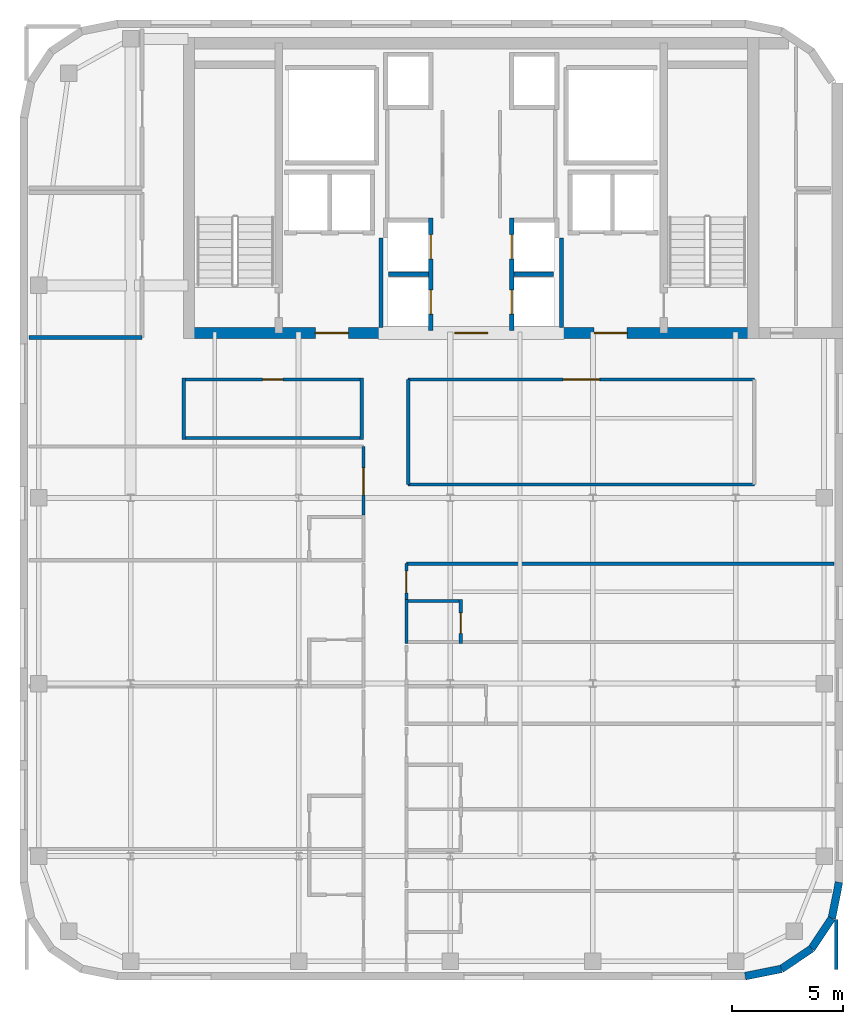
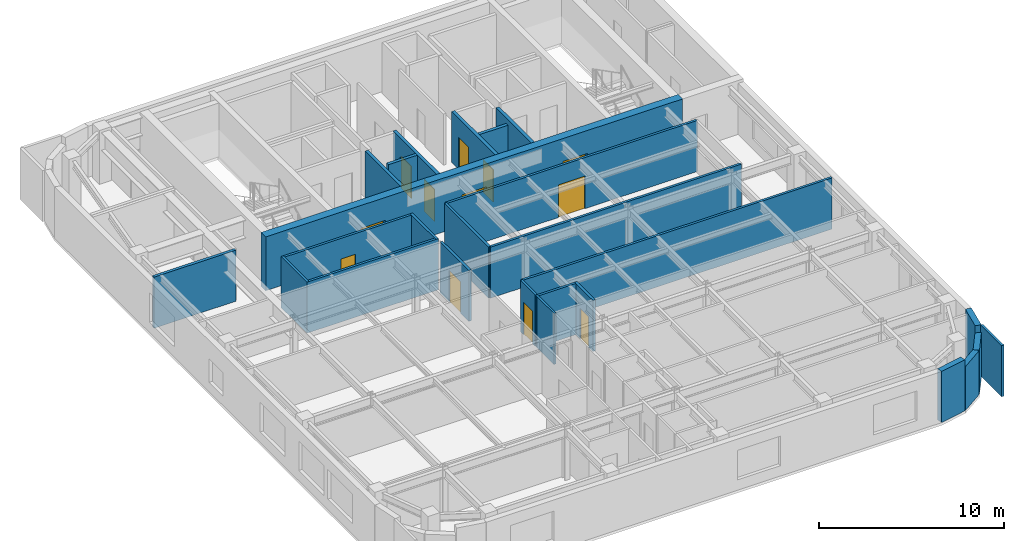
# One storey, part 5 of 9: 26 walls, 12 doors, 12 openings.
"""IFC4 building model written with IfcOpenShell, lengths in metres."""

from ifc_helpers import new_model, si_unit, direction, frame, frame_2d, origin, place, context, subcontext, project, spatial, rectangle, extrude, source, transform, mapped, material, layer, layer_set, type_object, type_shapes, element, fill, save


model = new_model("IFC4")

# Units and contexts
model_context = context("Model", 3, precision=1e-05, world=origin(), true_north=direction((0.0, 1.0)))
body_context = subcontext(model_context, "Body", "Model", "MODEL_VIEW")
ifc_project = project(units=[si_unit("LENGTHUNIT", "METRE"), si_unit("AREAUNIT", "SQUARE_METRE"), si_unit("VOLUMEUNIT", "CUBIC_METRE"), si_unit("PLANEANGLEUNIT", "RADIAN"), si_unit("MASSUNIT", "GRAM", prefix="KILO")], contexts=[model_context])

# Site, building, storey
site_placement = place(None, origin())
site = spatial("IfcSite", under=ifc_project, at=site_placement, CompositionType="ELEMENT")
building_placement = place(site_placement, origin())
building = spatial("IfcBuilding", under=site, at=building_placement, Name="Tolvann Quenvar Hotel", CompositionType="ELEMENT")
storey_placement = place(building_placement, frame((0.0, 0.0, 216.800048828125)))
storey = spatial("IfcBuildingStorey", under=building, at=storey_placement, Name="L57", CompositionType="ELEMENT", Elevation=216.800048828125)

# Wall, openings, doors
ifc_material_1 = material(Name="Concrete N50 (50 MPa)", Category="concrete")
ifc_layer_1 = layer(ifc_material_1, 0.5)
ifc_layer_set_1 = layer_set([ifc_layer_1], Name="Concrete N50 (50 MPa)")
wall_type_1 = type_object("IfcWallType", Name="WALL_CORE_500", PredefinedType="SHEAR", material=ifc_layer_set_1)
wall_1_placement = place(storey_placement, frame((10.0, 31.85009765625, 0.0), z_axis=(0.0, 0.0, 1.0), x_axis=(1.0, 0.0, 0.0)))
wall_1 = element("IfcWall", 1, at=wall_1_placement, inside=storey, type_object=wall_type_1, Name="Rear Core S Shear Wall (L57)", PredefinedType="SHEAR", context=body_context, shape_type="SweptSolid", body=[
    extrude(rectangle(XDim=26.0, YDim=0.5, at=frame_2d((13.0, 0.0))), origin(), (0.0, 0.0, 1.0), 3.550048828125),
])
opening_1_placement = place(wall_1_placement, frame((7.449951171875, 0.0, 0.0), z_axis=(0.0, 0.0, 1.0), x_axis=(-1.0, 0.0, 0.0)))
opening_1 = element("IfcOpeningElement", 2, at=opening_1_placement, cuts=wall_1, Name="Opening FD-60D", PredefinedType="OPENING", context=body_context, shape_type="SweptSolid", body=[
    extrude(rectangle(XDim=1.5, YDim=2.0400390625, at=frame_2d((0.75, 1.02001953125))), frame((0.0, 0.260009765625, 0.0), z_axis=(0.0, -1.0, 0.0), x_axis=(1.0, 0.0, 0.0)), (0.0, 0.0, 1.0), 0.52001953125),
])
opening_2_placement = place(wall_1_placement, frame((13.75, 0.0, 0.0), z_axis=(0.0, 0.0, 1.0), x_axis=(-1.0, 0.0, 0.0)))
opening_2 = element("IfcOpeningElement", 3, at=opening_2_placement, cuts=wall_1, Name="Opening FD-60D", PredefinedType="OPENING", context=body_context, shape_type="SweptSolid", body=[
    extrude(rectangle(XDim=1.5, YDim=2.0400390625, at=frame_2d((0.75, 1.02001953125))), frame((0.0, 0.260009765625, 0.0), z_axis=(0.0, -1.0, 0.0), x_axis=(1.0, 0.0, 0.0)), (0.0, 0.0, 1.0), 0.52001953125),
])
opening_3_placement = place(wall_1_placement, frame((20.050048828125, 0.0, 0.0), z_axis=(0.0, 0.0, 1.0), x_axis=(-1.0, 0.0, 0.0)))
opening_3 = element("IfcOpeningElement", 4, at=opening_3_placement, cuts=wall_1, Name="Opening FD-60D", PredefinedType="OPENING", context=body_context, shape_type="SweptSolid", body=[
    extrude(rectangle(XDim=1.5, YDim=2.0400390625, at=frame_2d((0.75, 1.02001953125))), frame((0.0, 0.260009765625, 0.0), z_axis=(0.0, -1.0, 0.0), x_axis=(1.0, 0.0, 0.0)), (0.0, 0.0, 1.0), 0.52001953125),
])
ifc_material_2 = material(Name="Solid-core American oak acoustic fire door leaf in steel frame", Category="steel")
door_type_1 = type_object("IfcDoorType", Name="DOOR_FIRE_LOBBY_1500", OperationType="NOTDEFINED", PredefinedType="DOOR", material=ifc_material_2)
shared_shape_1 = source(origin(), body_context, "Body", "SweptSolid", [
    extrude(rectangle(XDim=1.5, YDim=2.0400390625, at=frame_2d((0.75, 1.02001953125))), frame((0.0, 0.02490234375, 0.0), z_axis=(0.0, -1.0, 0.0), x_axis=(1.0, 0.0, 0.0)), (0.0, 0.0, 1.0), 0.050048828125),
])
type_shapes(door_type_1, [shared_shape_1])
door_1_placement = place(opening_1_placement, origin())
door_1 = element("IfcDoor", 5, at=door_1_placement, inside=storey, type_object=door_type_1, Name="Core Lobby Fire Door FFW (L57)", OperationType="DOUBLE_DOOR_SINGLE_SWING", OverallHeight=2.0400390625, OverallWidth=1.5, PredefinedType="DOOR", context=body_context, shape_type="MappedRepresentation", body=[
    mapped(shared_shape_1, transform((0.0, 0.0, 0.0), x_axis=(1.0, 0.0, 0.0), y_axis=(0.0, 1.0, 0.0), z_axis=(0.0, 0.0, 1.0), scale=1.0)),
])
fill(opening_1, door_1)
door_2_placement = place(opening_2_placement, origin())
door_2 = element("IfcDoor", 6, at=door_2_placement, inside=storey, type_object=door_type_1, Name="Core Lobby Fire Door CLOB (L57)", OperationType="DOUBLE_DOOR_SINGLE_SWING", OverallHeight=2.0400390625, OverallWidth=1.5, PredefinedType="DOOR", context=body_context, shape_type="MappedRepresentation", body=[
    mapped(shared_shape_1, transform((0.0, 0.0, 0.0), x_axis=(1.0, 0.0, 0.0), y_axis=(0.0, 1.0, 0.0), z_axis=(0.0, 0.0, 1.0), scale=1.0)),
])
fill(opening_2, door_2)
door_3_placement = place(opening_3_placement, origin())
door_3 = element("IfcDoor", 7, at=door_3_placement, inside=storey, type_object=door_type_1, Name="Core Lobby Fire Door FFE (L57)", OperationType="DOUBLE_DOOR_SINGLE_SWING", OverallHeight=2.0400390625, OverallWidth=1.5, PredefinedType="DOOR", context=body_context, shape_type="MappedRepresentation", body=[
    mapped(shared_shape_1, transform((0.0, 0.0, 0.0), x_axis=(1.0, 0.0, 0.0), y_axis=(0.0, 1.0, 0.0), z_axis=(0.0, 0.0, 1.0), scale=1.0)),
])
fill(opening_3, door_3)

# Walls
ifc_material_3 = material(Name="Kiln-fired red and buff architectural clay brickwork and terracotta masonry", Category="masonry")
ifc_layer_2 = layer(ifc_material_3, 0.35009765625)
ifc_layer_set_2 = layer_set([ifc_layer_2], Name="Kiln-fired red and buff architectural clay brickwork and terracotta masonry")
wall_type_2 = type_object("IfcWallType", Name="WALL_EXT_BRICK_350", PredefinedType="SOLIDWALL", material=ifc_layer_set_2)
wall_2_placement = place(storey_placement, frame((35.3828125, 2.77490234375, 0.0), z_axis=(0.0, 0.0, 1.0), x_axis=(0.980788844421, 0.195072403631, 0.0)))
element("IfcWall", 8, at=wall_2_placement, inside=storey, type_object=wall_type_2, Name="Exterior Chicago Brick Wall L57-E05", PredefinedType="SOLIDWALL", context=body_context, shape_type="SweptSolid", body=[
    extrude(rectangle(XDim=1.66455078125, YDim=0.35009765625, at=frame_2d((0.832275390625, 0.0))), origin(), (0.0, 0.0, 1.0), 3.369873046875),
])
for number, where, z_axis, x_axis, name in (
    (9, (37.015380859375, 3.099609375, 0.0), (0.0, 0.0, 1.0), (0.831434158098, 0.555623290322, 0.0), "Exterior Chicago Brick Wall L57-E06"),
    (10, (38.385009765625, 4.014892578125, 0.0), (0.0, 0.0, 1.0), (0.555623290322, 0.831434158098, 0.0), "Exterior Chicago Brick Wall L57-E07"),
):
    element("IfcWall", number, at=place(storey_placement, frame(where, z_axis=z_axis, x_axis=x_axis)), inside=storey, type_object=wall_type_2, Name=name, PredefinedType="SOLIDWALL", context=body_context, shape_type="SweptSolid", body=[
        extrude(rectangle(XDim=1.647216796875, YDim=0.35009765625, at=frame_2d((0.82373046875, 0.0))), origin(), (0.0, 0.0, 1.0), 2.89990234375),
    ])
wall_3_placement = place(storey_placement, frame((39.30029296875, 5.384521484375, 0.0), z_axis=(0.0, 0.0, 1.0), x_axis=(0.195072403631, 0.980788844421, 0.0)))
element("IfcWall", 11, at=wall_3_placement, inside=storey, type_object=wall_type_2, Name="Exterior Chicago Brick Wall L57-E08", PredefinedType="SOLIDWALL", context=body_context, shape_type="SweptSolid", body=[
    extrude(rectangle(XDim=1.66455078125, YDim=0.35009765625, at=frame_2d((0.832275390625, 0.0))), origin(), (0.0, 0.0, 1.0), 3.369873046875),
])
ifc_material_4 = material(Name="Acoustic twin-stud fire-rated gypsum plasterboard partition")
ifc_layer_3 = layer(ifc_material_4, 0.179931640625)
ifc_layer_set_3 = layer_set([ifc_layer_3], Name="Acoustic twin-stud fire-rated gypsum plasterboard partition")
wall_type_3 = type_object("IfcWallType", Name="WALL_PART_ACOUSTIC_180", PredefinedType="PARTITIONING", material=ifc_layer_set_3)
wall_4_placement = place(storey_placement, frame((3.0048828125, 31.64990234375, 0.0), z_axis=(0.0, 0.0, 1.0), x_axis=(1.0, 0.0, 0.0)))
element("IfcWall", 12, at=wall_4_placement, inside=storey, type_object=wall_type_3, Name="Interior Partition PT-SPC-L57-SAL-S", PredefinedType="PARTITIONING", context=body_context, shape_type="SweptSolid", body=[
    extrude(rectangle(XDim=5.115234375, YDim=0.179931640625, at=frame_2d((2.5576171875, 0.0))), origin(), (0.0, 0.0, 1.0), 3.369873046875),
])
ifc_material_5 = material(Name="Moisture-resistant acoustic plumbing wall assembly")
ifc_layer_4 = layer(ifc_material_5, 0.1201171875)
ifc_layer_set_4 = layer_set([ifc_layer_4], Name="Moisture-resistant acoustic plumbing wall assembly")
wall_type_4 = type_object("IfcWallType", Name="WALL_PART_BATH_120", PredefinedType="PLUMBINGWALL", material=ifc_layer_set_4)
wall_5_placement = place(storey_placement, frame((20.070068359375, 17.81005859375, 0.0), z_axis=(0.0, 0.0, 1.0), x_axis=(0.0, 1.0, 0.0)))
element("IfcWall", 13, at=wall_5_placement, inside=storey, type_object=wall_type_4, Name="Non-Rated Plumbing Partition PT-SPC-L57-ENS-EO05-W", PredefinedType="PLUMBINGWALL", context=body_context, shape_type="SweptSolid", body=[
    extrude(rectangle(XDim=1.989990234375, YDim=0.1201171875, at=frame_2d((0.9951171875, 0.0))), origin(), (0.0, 0.0, 1.0), 3.369873046875),
])

# Wall, opening, door
ifc_layer_5 = layer(ifc_material_4, 0.14990234375)
ifc_layer_set_5 = layer_set([ifc_layer_5], Name="Acoustic twin-stud fire-rated gypsum plasterboard partition")
wall_type_5 = type_object("IfcWallType", Name="WALL_PART_SUITE_150", PredefinedType="PARTITIONING", material=ifc_layer_set_5)
wall_6_placement = place(storey_placement, frame((22.52001953125, 17.81005859375, 0.0), z_axis=(0.0, 0.0, 1.0), x_axis=(0.0, 1.0, 0.0)))
wall_6 = element("IfcWall", 14, at=wall_6_placement, inside=storey, type_object=wall_type_5, Name="Interior Partition PT-SPC-L57-ENS-EO05-ENT", PredefinedType="PARTITIONING", context=body_context, shape_type="SweptSolid", body=[
    extrude(rectangle(XDim=1.989990234375, YDim=0.14990234375, at=frame_2d((0.9951171875, 0.0))), origin(), (0.0, 0.0, 1.0), 3.369873046875),
])
opening_4_placement = place(wall_6_placement, frame((0.465087890625, 0.0, 0.0)))
opening_4 = element("IfcOpeningElement", 15, at=opening_4_placement, cuts=wall_6, Name="Opening WD-01", PredefinedType="OPENING", context=body_context, shape_type="SweptSolid", body=[
    extrude(rectangle(XDim=0.919921875, YDim=2.010009765625, at=frame_2d((0.4599609375, 1.0048828125))), frame((0.0, 0.0849609375, 0.0), z_axis=(0.0, -1.0, 0.0), x_axis=(1.0, 0.0, 0.0)), (0.0, 0.0, 1.0), 0.169921875),
])
door_type_2 = type_object("IfcDoorType", Name="DOOR_WC_920", OperationType="NOTDEFINED", PredefinedType="DOOR", material=ifc_material_2)
shared_shape_2 = source(origin(), body_context, "Body", "SweptSolid", [
    extrude(rectangle(XDim=0.919921875, YDim=2.010009765625, at=frame_2d((0.4599609375, 1.0048828125))), frame((0.0, 0.02490234375, 0.0), z_axis=(0.0, -1.0, 0.0), x_axis=(1.0, 0.0, 0.0)), (0.0, 0.0, 1.0), 0.050048828125),
])
type_shapes(door_type_2, [shared_shape_2])
door_4_placement = place(opening_4_placement, origin())
door_4 = element("IfcDoor", 16, at=door_4_placement, inside=storey, type_object=door_type_2, Name="Interior Door DOOR-SPC-L57-ENS-EO05", OperationType="SINGLE_SWING_RIGHT", OverallHeight=2.010009765625, OverallWidth=0.919921875, PredefinedType="DOOR", context=body_context, shape_type="MappedRepresentation", body=[
    mapped(shared_shape_2, transform((0.0, 0.0, 0.0), x_axis=(1.0, 0.0, 0.0), y_axis=(0.0, 1.0, 0.0), z_axis=(0.0, 0.0, 1.0), scale=1.0)),
])
fill(opening_4, door_4)

# Wall
wall_7_placement = place(storey_placement, frame((20.0, 19.72998046875, 0.0), z_axis=(0.0, 0.0, 1.0), x_axis=(1.0, 0.0, 0.0)))
element("IfcWall", 17, at=wall_7_placement, inside=storey, type_object=wall_type_5, Name="Interior Partition PT-SPC-L57-ENS-EO05-N", PredefinedType="PARTITIONING", context=body_context, shape_type="SweptSolid", body=[
    extrude(rectangle(XDim=2.590087890625, YDim=0.14990234375, at=frame_2d((1.294921875, 0.0))), origin(), (0.0, 0.0, 1.0), 3.369873046875),
])

# Wall, opening, door
wall_8_placement = place(storey_placement, frame((18.1298828125, 23.613037109375, 0.0), z_axis=(0.0, 0.0, 1.0), x_axis=(0.0, 1.0, 0.0)))
wall_8 = element("IfcWall", 18, at=wall_8_placement, inside=storey, type_object=wall_type_5, Name="Interior Partition PT-SPC-L57-RM-WO04-ENT", PredefinedType="PARTITIONING", context=body_context, shape_type="SweptSolid", body=[
    extrude(rectangle(XDim=3.10693359375, YDim=0.14990234375, at=frame_2d((1.553466796875, 0.0))), origin(), (0.0, 0.0, 1.0), 3.369873046875),
])
opening_5_placement = place(wall_8_placement, frame((0.923583984375, 0.0, 0.0)))
opening_5 = element("IfcOpeningElement", 19, at=opening_5_placement, cuts=wall_8, Name="Opening SD-02", PredefinedType="OPENING", context=body_context, shape_type="SweptSolid", body=[
    extrude(rectangle(XDim=1.219970703125, YDim=2.080078125, at=frame_2d((0.60986328125, 1.0400390625))), frame((0.0, 0.0849609375, 0.0), z_axis=(0.0, -1.0, 0.0), x_axis=(1.0, 0.0, 0.0)), (0.0, 0.0, 1.0), 0.169921875),
])
door_type_3 = type_object("IfcDoorType", Name="DOOR_VIP_1220", OperationType="NOTDEFINED", PredefinedType="DOOR", material=ifc_material_2)
shared_shape_3 = source(origin(), body_context, "Body", "SweptSolid", [
    extrude(rectangle(XDim=1.219970703125, YDim=2.080078125, at=frame_2d((0.60986328125, 1.0400390625))), frame((0.0, 0.02490234375, 0.0), z_axis=(0.0, -1.0, 0.0), x_axis=(1.0, 0.0, 0.0)), (0.0, 0.0, 1.0), 0.050048828125),
])
type_shapes(door_type_3, [shared_shape_3])
door_5_placement = place(opening_5_placement, origin())
door_5 = element("IfcDoor", 20, at=door_5_placement, inside=storey, type_object=door_type_3, Name="Interior Door DOOR-SPC-L57-RM-WO04", OperationType="SINGLE_SWING_RIGHT", OverallHeight=2.080078125, OverallWidth=1.219970703125, PredefinedType="DOOR", context=body_context, shape_type="MappedRepresentation", body=[
    mapped(shared_shape_3, transform((0.0, 0.0, 0.0), x_axis=(1.0, 0.0, 0.0), y_axis=(0.0, 1.0, 0.0), z_axis=(0.0, 0.0, 1.0), scale=1.0)),
])
fill(opening_5, door_5)

# Wall
wall_9_placement = place(storey_placement, frame((39.5, 3.080078125, 0.0), z_axis=(0.0, 0.0, 1.0), x_axis=(0.0, 1.0, 0.0)))
element("IfcWall", 21, at=wall_9_placement, inside=storey, type_object=wall_type_5, Name="Interior Partition PT-SPC-L57-RM-EO01-E2", PredefinedType="PARTITIONING", context=body_context, shape_type="SweptSolid", body=[
    extrude(rectangle(XDim=2.264892578125, YDim=0.14990234375, at=frame_2d((1.13232421875, 0.0))), origin(), (0.0, 0.0, 1.0), 3.369873046875),
])

# Wall, opening, door
wall_10_placement = place(storey_placement, frame((20.070068359375, 19.81005859375, 0.0), z_axis=(0.0, 0.0, 1.0), x_axis=(0.0, 1.0, 0.0)))
wall_10 = element("IfcWall", 22, at=wall_10_placement, inside=storey, type_object=wall_type_5, Name="Interior Partition PT-SPC-L57-RM-EO05-ENT", PredefinedType="PARTITIONING", context=body_context, shape_type="SweptSolid", body=[
    extrude(rectangle(XDim=1.60986328125, YDim=0.14990234375, at=frame_2d((0.804931640625, 0.0))), origin(), (0.0, 0.0, 1.0), 3.369873046875),
])
opening_6_placement = place(wall_10_placement, frame((0.294921875, 0.0, 0.0)))
opening_6 = element("IfcOpeningElement", 23, at=opening_6_placement, cuts=wall_10, Name="Opening SD-01", PredefinedType="OPENING", context=body_context, shape_type="SweptSolid", body=[
    extrude(rectangle(XDim=0.97998046875, YDim=2.1201171875, at=frame_2d((0.489990234375, 1.06005859375))), frame((0.0, 0.0849609375, 0.0), z_axis=(0.0, -1.0, 0.0), x_axis=(1.0, 0.0, 0.0)), (0.0, 0.0, 1.0), 0.169921875),
])
door_type_4 = type_object("IfcDoorType", Name="DOOR_SUITE_980", OperationType="NOTDEFINED", PredefinedType="DOOR", material=ifc_material_2)
shared_shape_4 = source(origin(), body_context, "Body", "SweptSolid", [
    extrude(rectangle(XDim=0.97998046875, YDim=2.1201171875, at=frame_2d((0.489990234375, 1.06005859375))), frame((0.0, 0.02490234375, 0.0), z_axis=(0.0, -1.0, 0.0), x_axis=(1.0, 0.0, 0.0)), (0.0, 0.0, 1.0), 0.050048828125),
])
type_shapes(door_type_4, [shared_shape_4])
door_6_placement = place(opening_6_placement, origin())
door_6 = element("IfcDoor", 24, at=door_6_placement, inside=storey, type_object=door_type_4, Name="Interior Door DOOR-SPC-L57-RM-EO05", OperationType="SINGLE_SWING_LEFT", OverallHeight=2.1201171875, OverallWidth=0.97998046875, PredefinedType="DOOR", context=body_context, shape_type="MappedRepresentation", body=[
    mapped(shared_shape_4, transform((0.0, 0.0, 0.0), x_axis=(1.0, 0.0, 0.0), y_axis=(0.0, 1.0, 0.0), z_axis=(0.0, 0.0, 1.0), scale=1.0)),
])
fill(opening_6, door_6)

# Walls
wall_11_placement = place(storey_placement, frame((20.070068359375, 21.419921875, 0.0), z_axis=(0.0, 0.0, 1.0), x_axis=(1.0, 0.0, 0.0)))
element("IfcWall", 25, at=wall_11_placement, inside=storey, type_object=wall_type_5, Name="Interior Partition PT-SPC-L57-RM-EO05-E5", PredefinedType="PARTITIONING", context=body_context, shape_type="SweptSolid", body=[
    extrude(rectangle(XDim=19.324951171875, YDim=0.14990234375, at=frame_2d((9.66259765625, 0.0))), origin(), (0.0, 0.0, 1.0), 3.369873046875),
])
wall_12_placement = place(storey_placement, frame((9.929931640625, 27.10009765625, 0.0), z_axis=(0.0, 0.0, 1.0), x_axis=(1.0, 0.0, 0.0)))
element("IfcWall", 26, at=wall_12_placement, inside=storey, type_object=wall_type_5, Name="Interior Partition PT-SPC-L57-WCA-S", PredefinedType="PARTITIONING", context=body_context, shape_type="SweptSolid", body=[
    extrude(rectangle(XDim=8.190185546875, YDim=0.14990234375, at=frame_2d((4.09521484375, 0.0))), origin(), (0.0, 0.0, 1.0), 3.369873046875),
])

# Wall, opening, door
wall_13_placement = place(storey_placement, frame((9.929931640625, 29.75, 0.0), z_axis=(0.0, 0.0, 1.0), x_axis=(1.0, 0.0, 0.0)))
wall_13 = element("IfcWall", 27, at=wall_13_placement, inside=storey, type_object=wall_type_5, Name="Interior Partition PT-SPC-L57-WCA-N", PredefinedType="PARTITIONING", context=body_context, shape_type="SweptSolid", body=[
    extrude(rectangle(XDim=8.190185546875, YDim=0.14990234375, at=frame_2d((4.09521484375, 0.0))), origin(), (0.0, 0.0, 1.0), 3.369873046875),
])
opening_7_placement = place(wall_13_placement, frame((3.635009765625, 0.0, 0.0)))
opening_7 = element("IfcOpeningElement", 28, at=opening_7_placement, cuts=wall_13, Name="Opening WD-01", PredefinedType="OPENING", context=body_context, shape_type="SweptSolid", body=[
    extrude(rectangle(XDim=0.919921875, YDim=2.010009765625, at=frame_2d((0.4599609375, 1.0048828125))), frame((0.0, 0.0849609375, 0.0), z_axis=(0.0, -1.0, 0.0), x_axis=(1.0, 0.0, 0.0)), (0.0, 0.0, 1.0), 0.169921875),
])
door_7_placement = place(opening_7_placement, origin())
door_7 = element("IfcDoor", 29, at=door_7_placement, inside=storey, type_object=door_type_2, Name="Interior Door DOOR-SPC-L57-WCA", OperationType="SINGLE_SWING_RIGHT", OverallHeight=2.010009765625, OverallWidth=0.919921875, PredefinedType="DOOR", context=body_context, shape_type="MappedRepresentation", body=[
    mapped(shared_shape_2, transform((0.0, 0.0, 0.0), x_axis=(1.0, 0.0, 0.0), y_axis=(0.0, 1.0, 0.0), z_axis=(0.0, 0.0, 1.0), scale=1.0)),
])
fill(opening_7, door_7)

# Walls
for number, where, z_axis, x_axis, name in (
    (30, (10.0, 27.030029296875, 0.0), (0.0, 0.0, 1.0), (0.0, 1.0, 0.0), "Interior Partition PT-SPC-L57-WCA-W"),
    (31, (18.050048828125, 27.030029296875, 0.0), (0.0, 0.0, 1.0), (0.0, 1.0, 0.0), "Interior Partition PT-SPC-L57-WCA-E"),
):
    element("IfcWall", number, at=place(storey_placement, frame(where, z_axis=z_axis, x_axis=x_axis)), inside=storey, type_object=wall_type_5, Name=name, PredefinedType="PARTITIONING", context=body_context, shape_type="SweptSolid", body=[
        extrude(rectangle(XDim=2.7900390625, YDim=0.14990234375, at=frame_2d((1.39501953125, 0.0))), origin(), (0.0, 0.0, 1.0), 3.369873046875),
    ])
wall_14_placement = place(storey_placement, frame((20.14990234375, 25.0, 0.0), z_axis=(0.0, 0.0, 1.0), x_axis=(1.0, 0.0, 0.0)))
element("IfcWall", 32, at=wall_14_placement, inside=storey, type_object=wall_type_5, Name="Interior Partition PT-SPC-L57-LOUNGE-S", PredefinedType="PARTITIONING", context=body_context, shape_type="SweptSolid", body=[
    extrude(rectangle(XDim=15.650146484375, YDim=0.14990234375, at=frame_2d((7.8251953125, 0.0))), origin(), (0.0, 0.0, 1.0), 3.369873046875),
])

# Wall, opening, door
wall_15_placement = place(storey_placement, frame((20.14990234375, 29.75, 0.0), z_axis=(0.0, 0.0, 1.0), x_axis=(1.0, 0.0, 0.0)))
wall_15 = element("IfcWall", 33, at=wall_15_placement, inside=storey, type_object=wall_type_5, Name="Interior Partition PT-SPC-L57-LOUNGE-N", PredefinedType="PARTITIONING", context=body_context, shape_type="SweptSolid", body=[
    extrude(rectangle(XDim=15.650146484375, YDim=0.14990234375, at=frame_2d((7.8251953125, 0.0))), origin(), (0.0, 0.0, 1.0), 3.369873046875),
])
opening_8_placement = place(wall_15_placement, frame((7.0, 0.0, 0.0)))
opening_8 = element("IfcOpeningElement", 34, at=opening_8_placement, cuts=wall_15, Name="Opening AD-01", PredefinedType="OPENING", context=body_context, shape_type="SweptSolid", body=[
    extrude(rectangle(XDim=1.64990234375, YDim=2.14990234375, at=frame_2d((0.824951171875, 1.074951171875))), frame((0.0, 0.0849609375, 0.0), z_axis=(0.0, -1.0, 0.0), x_axis=(1.0, 0.0, 0.0)), (0.0, 0.0, 1.0), 0.169921875),
])
door_type_5 = type_object("IfcDoorType", Name="DOOR_SALON_1650", OperationType="NOTDEFINED", PredefinedType="DOOR", material=ifc_material_2)
shared_shape_5 = source(origin(), body_context, "Body", "SweptSolid", [
    extrude(rectangle(XDim=1.64990234375, YDim=2.14990234375, at=frame_2d((0.824951171875, 1.074951171875))), frame((0.0, 0.02490234375, 0.0), z_axis=(0.0, -1.0, 0.0), x_axis=(1.0, 0.0, 0.0)), (0.0, 0.0, 1.0), 0.050048828125),
])
type_shapes(door_type_5, [shared_shape_5])
door_8_placement = place(opening_8_placement, origin())
door_8 = element("IfcDoor", 35, at=door_8_placement, inside=storey, type_object=door_type_5, Name="Interior Door DOOR-SPC-L57-LOUNGE", OperationType="DOUBLE_DOOR_SINGLE_SWING", OverallHeight=2.14990234375, OverallWidth=1.64990234375, PredefinedType="DOOR", context=body_context, shape_type="MappedRepresentation", body=[
    mapped(shared_shape_5, transform((0.0, 0.0, 0.0), x_axis=(1.0, 0.0, 0.0), y_axis=(0.0, 1.0, 0.0), z_axis=(0.0, 0.0, 1.0), scale=1.0)),
])
fill(opening_8, door_8)

# Walls
wall_16_placement = place(storey_placement, frame((20.14990234375, 25.0, 0.0), z_axis=(0.0, 0.0, 1.0), x_axis=(0.0, 1.0, 0.0)))
element("IfcWall", 36, at=wall_16_placement, inside=storey, type_object=wall_type_5, Name="Interior Partition PT-SPC-L57-LOUNGE-W", PredefinedType="PARTITIONING", context=body_context, shape_type="SweptSolid", body=[
    extrude(rectangle(XDim=4.75, YDim=0.14990234375, at=frame_2d((2.375, 0.0))), origin(), (0.0, 0.0, 1.0), 3.369873046875),
])
ifc_material_6 = material(Name="Concrete N40 (40 MPa)", Category="concrete")
ifc_layer_6 = layer(ifc_material_6, 0.199951171875)
ifc_layer_set_6 = layer_set([ifc_layer_6], Name="Concrete N40 (40 MPa)")
wall_type_6 = type_object("IfcWallType", Name="WALL_SHAFT_200", PredefinedType="SOLIDWALL", material=ifc_layer_set_6)
for number, where, z_axis, x_axis, name in (
    (37, (18.919921875, 32.10400390625, 0.0), (0.0, 0.0, 1.0), (0.0, 1.0, 0.0), "Firefighting Lobby W Inner Fire Wall (L57)"),
    (38, (27.080078125, 32.10400390625, 0.0), (0.0, 0.0, 1.0), (0.0, 1.0, 0.0), "Firefighting Lobby E Inner Fire Wall (L57)"),
):
    element("IfcWall", number, at=place(storey_placement, frame(where, z_axis=z_axis, x_axis=x_axis)), inside=storey, type_object=wall_type_6, Name=name, PredefinedType="SOLIDWALL", context=body_context, shape_type="SweptSolid", body=[
        extrude(rectangle(XDim=4.0458984375, YDim=0.199951171875, at=frame_2d((2.02294921875, 0.0))), origin(), (0.0, 0.0, 1.0), 3.369873046875),
    ])

# Wall, openings, doors
wall_17_placement = place(storey_placement, frame((21.169921875, 31.9599609375, 0.0), z_axis=(0.0, 0.0, 1.0), x_axis=(0.0, 1.0, 0.0)))
wall_17 = element("IfcWall", 39, at=wall_17_placement, inside=storey, type_object=wall_type_6, Name="Lift Bank E21.1C1 Hoistway Front Wall (L57)", PredefinedType="SOLIDWALL", context=body_context, shape_type="SweptSolid", body=[
    extrude(rectangle(XDim=5.080078125, YDim=0.199951171875, at=frame_2d((2.5400390625, 0.0))), origin(), (0.0, 0.0, 1.0), 3.369873046875),
])
opening_9_placement = place(wall_17_placement, frame((0.739990234375, 0.0, 0.0)))
opening_9 = element("IfcOpeningElement", 40, at=opening_9_placement, cuts=wall_17, Name="Opening LD-01", PredefinedType="OPENING", context=body_context, shape_type="SweptSolid", body=[
    extrude(rectangle(XDim=1.10009765625, YDim=2.1201171875, at=frame_2d((0.550048828125, 1.06005859375))), frame((0.0, 0.10986328125, 0.0), z_axis=(0.0, -1.0, 0.0), x_axis=(1.0, 0.0, 0.0)), (0.0, 0.0, 1.0), 0.219970703125),
])
opening_10_placement = place(wall_17_placement, frame((3.239990234375, 0.0, 0.0)))
opening_10 = element("IfcOpeningElement", 41, at=opening_10_placement, cuts=wall_17, Name="Opening LD-01", PredefinedType="OPENING", context=body_context, shape_type="SweptSolid", body=[
    extrude(rectangle(XDim=1.10009765625, YDim=2.1201171875, at=frame_2d((0.550048828125, 1.06005859375))), frame((0.0, 0.10986328125, 0.0), z_axis=(0.0, -1.0, 0.0), x_axis=(1.0, 0.0, 0.0)), (0.0, 0.0, 1.0), 0.219970703125),
])
ifc_material_7 = material(Name="Brushed 316 stainless steel automatic sliding lift landing door", Category="steel")
door_type_6 = type_object("IfcDoorType", Name="DOOR_LIFT_SLIDE_1100", OperationType="NOTDEFINED", PredefinedType="DOOR", material=ifc_material_7)
shared_shape_6 = source(origin(), body_context, "Body", "SweptSolid", [
    extrude(rectangle(XDim=1.10009765625, YDim=2.1201171875, at=frame_2d((0.550048828125, 1.06005859375))), frame((0.0, 0.02490234375, 0.0), z_axis=(0.0, -1.0, 0.0), x_axis=(1.0, 0.0, 0.0)), (0.0, 0.0, 1.0), 0.050048828125),
])
type_shapes(door_type_6, [shared_shape_6])
door_9_placement = place(opening_9_placement, origin())
door_9 = element("IfcDoor", 42, at=door_9_placement, inside=storey, type_object=door_type_6, Name="Lift PH-1 Sliding Landing Door (L57)", OperationType="SLIDING_TO_LEFT", OverallHeight=2.1201171875, OverallWidth=1.10009765625, PredefinedType="DOOR", context=body_context, shape_type="MappedRepresentation", body=[
    mapped(shared_shape_6, transform((0.0, 0.0, 0.0), x_axis=(1.0, 0.0, 0.0), y_axis=(0.0, 1.0, 0.0), z_axis=(0.0, 0.0, 1.0), scale=1.0)),
])
fill(opening_9, door_9)
door_10_placement = place(opening_10_placement, origin())
door_10 = element("IfcDoor", 43, at=door_10_placement, inside=storey, type_object=door_type_6, Name="Lift PH-2 Sliding Landing Door (L57)", OperationType="SLIDING_TO_RIGHT", OverallHeight=2.1201171875, OverallWidth=1.10009765625, PredefinedType="DOOR", context=body_context, shape_type="MappedRepresentation", body=[
    mapped(shared_shape_6, transform((0.0, 0.0, 0.0), x_axis=(1.0, 0.0, 0.0), y_axis=(0.0, 1.0, 0.0), z_axis=(0.0, 0.0, 1.0), scale=1.0)),
])
fill(opening_10, door_10)

# Wall
wall_18_placement = place(storey_placement, frame((19.27001953125, 34.5, 0.0), z_axis=(0.0, 0.0, 1.0), x_axis=(1.0, 0.0, 0.0)))
element("IfcWall", 44, at=wall_18_placement, inside=storey, type_object=wall_type_6, Name="Lift Bank E21.1C1 Divider Wall 1 (L57)", PredefinedType="SOLIDWALL", context=body_context, shape_type="SweptSolid", body=[
    extrude(rectangle(XDim=1.800048828125, YDim=0.199951171875, at=frame_2d((0.89990234375, 0.0))), origin(), (0.0, 0.0, 1.0), 3.369873046875),
])

# Wall, openings, doors
wall_19_placement = place(storey_placement, frame((24.830078125, 31.9599609375, 0.0), z_axis=(0.0, 0.0, 1.0), x_axis=(0.0, 1.0, 0.0)))
wall_19 = element("IfcWall", 45, at=wall_19_placement, inside=storey, type_object=wall_type_6, Name="Lift Bank W24.9C1 Hoistway Front Wall (L57)", PredefinedType="SOLIDWALL", context=body_context, shape_type="SweptSolid", body=[
    extrude(rectangle(XDim=5.080078125, YDim=0.199951171875, at=frame_2d((2.5400390625, 0.0))), origin(), (0.0, 0.0, 1.0), 3.369873046875),
])
opening_11_placement = place(wall_19_placement, frame((0.739990234375, 0.0, 0.0)))
opening_11 = element("IfcOpeningElement", 46, at=opening_11_placement, cuts=wall_19, Name="Opening LD-01", PredefinedType="OPENING", context=body_context, shape_type="SweptSolid", body=[
    extrude(rectangle(XDim=1.10009765625, YDim=2.1201171875, at=frame_2d((0.550048828125, 1.06005859375))), frame((0.0, 0.10986328125, 0.0), z_axis=(0.0, -1.0, 0.0), x_axis=(1.0, 0.0, 0.0)), (0.0, 0.0, 1.0), 0.219970703125),
])
opening_12_placement = place(wall_19_placement, frame((3.239990234375, 0.0, 0.0)))
opening_12 = element("IfcOpeningElement", 47, at=opening_12_placement, cuts=wall_19, Name="Opening LD-01", PredefinedType="OPENING", context=body_context, shape_type="SweptSolid", body=[
    extrude(rectangle(XDim=1.10009765625, YDim=2.1201171875, at=frame_2d((0.550048828125, 1.06005859375))), frame((0.0, 0.10986328125, 0.0), z_axis=(0.0, -1.0, 0.0), x_axis=(1.0, 0.0, 0.0)), (0.0, 0.0, 1.0), 0.219970703125),
])
door_11_placement = place(opening_11_placement, origin())
door_11 = element("IfcDoor", 48, at=door_11_placement, inside=storey, type_object=door_type_6, Name="Lift PH-3 Sliding Landing Door (L57)", OperationType="SLIDING_TO_LEFT", OverallHeight=2.1201171875, OverallWidth=1.10009765625, PredefinedType="DOOR", context=body_context, shape_type="MappedRepresentation", body=[
    mapped(shared_shape_6, transform((0.0, 0.0, 0.0), x_axis=(1.0, 0.0, 0.0), y_axis=(0.0, 1.0, 0.0), z_axis=(0.0, 0.0, 1.0), scale=1.0)),
])
fill(opening_11, door_11)
door_12_placement = place(opening_12_placement, origin())
door_12 = element("IfcDoor", 49, at=door_12_placement, inside=storey, type_object=door_type_6, Name="Lift PH-4 Sliding Landing Door (L57)", OperationType="SLIDING_TO_RIGHT", OverallHeight=2.1201171875, OverallWidth=1.10009765625, PredefinedType="DOOR", context=body_context, shape_type="MappedRepresentation", body=[
    mapped(shared_shape_6, transform((0.0, 0.0, 0.0), x_axis=(1.0, 0.0, 0.0), y_axis=(0.0, 1.0, 0.0), z_axis=(0.0, 0.0, 1.0), scale=1.0)),
])
fill(opening_12, door_12)

# Wall
wall_20_placement = place(storey_placement, frame((24.929931640625, 34.5, 0.0), z_axis=(0.0, 0.0, 1.0), x_axis=(1.0, 0.0, 0.0)))
element("IfcWall", 50, at=wall_20_placement, inside=storey, type_object=wall_type_6, Name="Lift Bank W24.9C1 Divider Wall 1 (L57)", PredefinedType="SOLIDWALL", context=body_context, shape_type="SweptSolid", body=[
    extrude(rectangle(XDim=1.800048828125, YDim=0.199951171875, at=frame_2d((0.89990234375, 0.0))), origin(), (0.0, 0.0, 1.0), 3.369873046875),
])

save(model, "model.ifc")
